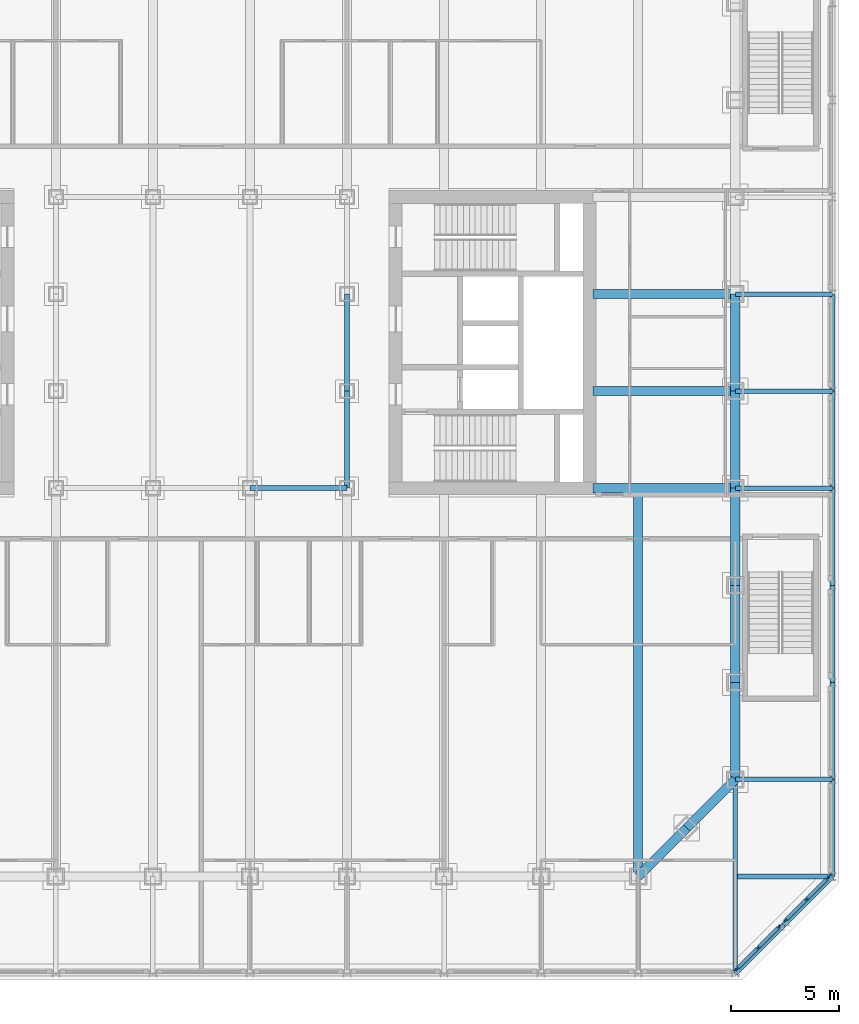
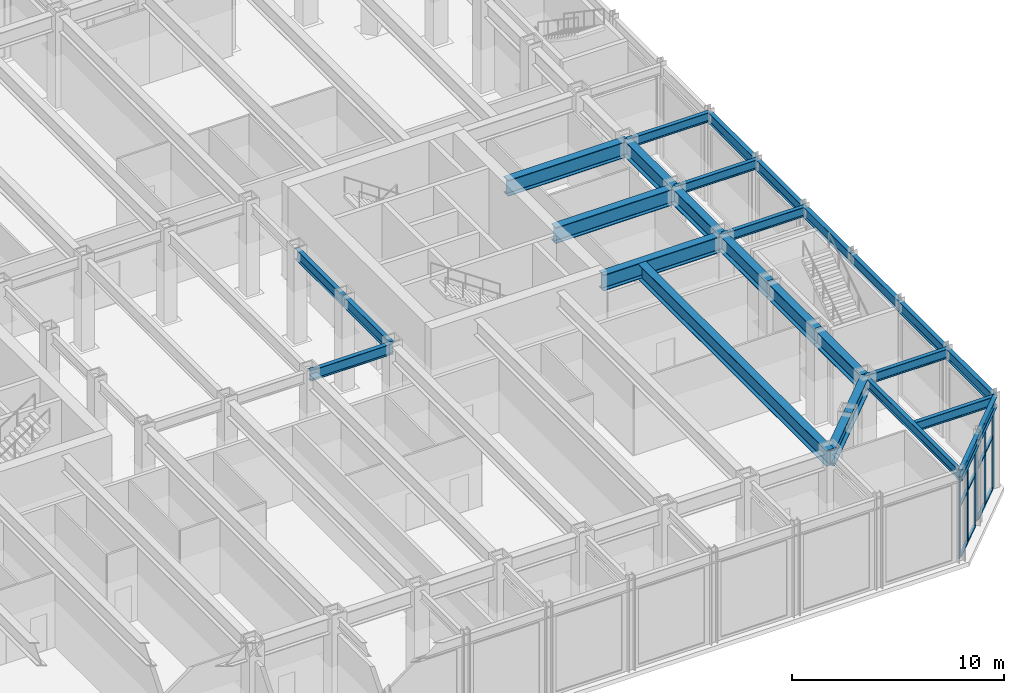
# One storey, part 6 of 19: 28 beams, 18 members, 2 elements without a shape of their own.
"""IFC4 building model written with IfcOpenShell, lengths in metres."""

from ifc_helpers import new_model, si_unit, direction, frame, origin, origin_2d, place, context, subcontext, project, spatial, rectangle, i_section, extrude, material, material_profile, profile_set, type_object, element, aggregate, save


model = new_model("IFC4")

# Units and contexts
model_context = context("Model", 3, precision=1e-05, world=origin(), true_north=direction((0.0, 1.0)))
body_context = subcontext(model_context, "Body", "Model", "MODEL_VIEW")
ifc_project = project(units=[si_unit("LENGTHUNIT", "METRE"), si_unit("AREAUNIT", "SQUARE_METRE"), si_unit("VOLUMEUNIT", "CUBIC_METRE"), si_unit("PLANEANGLEUNIT", "RADIAN"), si_unit("MASSUNIT", "GRAM", prefix="KILO")], contexts=[model_context])

# Site, building, storey
site_placement = place(None, origin())
site = spatial("IfcSite", under=ifc_project, at=site_placement, CompositionType="ELEMENT")
building_placement = place(site_placement, origin())
building = spatial("IfcBuilding", under=site, at=building_placement, Name="Msasa Ring Tower", CompositionType="ELEMENT")
storey_placement = place(building_placement, frame((0.0, 0.0, 16.0)))
storey = spatial("IfcBuildingStorey", under=building, at=storey_placement, Name="L03", CompositionType="ELEMENT", Elevation=16.0)

# Curtain wall, members
ifc_material_1 = material(Name="Aluminium curtain wall with clear glass", Category="aluminium")
curtain_wall_type = type_object("IfcCurtainWallType", Name="CW-K PODIUM CORNER CURTAIN WALL", PredefinedType="NOTDEFINED", material=ifc_material_1)
curtain_wall_1_placement = place(storey_placement, origin())
curtain_wall_1 = element("IfcCurtainWall", 1, at=curtain_wall_1_placement, inside=storey, type_object=curtain_wall_type, Name="Podium corner curtain wall SE L03", PredefinedType="NOTDEFINED")
ifc_material_2 = material(Name="Aluminium mullion", Category="aluminium")
ifc_material_profile_1 = material_profile(ifc_material_2, rectangle(XDim=0.070068359375, YDim=0.199951171875, at=origin_2d()), Name="AL 70x200")
ifc_profile_set_1 = profile_set([ifc_material_profile_1], Name="Aluminium mullion")
member_type_1 = type_object("IfcMemberType", Name="CW-K MULLION 70x200", PredefinedType="MULLION", material=ifc_profile_set_1)
member_1_placement = place(storey_placement, frame((24.836669921875, -29.02197265625, 0.0), z_axis=(0.0, 0.0, 1.0), x_axis=(-0.707106781187, 0.707106781187, 0.0)))
member_1 = element("IfcMember", 2, at=member_1_placement, type_object=member_type_1, Name="CW-K mullion 1", PredefinedType="MULLION", context=body_context, shape_type="SweptSolid", body=[
    extrude(rectangle(XDim=0.070068359375, YDim=0.199951171875, at=origin_2d()), origin(), (0.0, 0.0, 1.0), 4.6328125),
])
member_2_placement = place(storey_placement, frame((25.80419921875, -28.05419921875, 0.0), z_axis=(0.0, 0.0, 1.0), x_axis=(-0.707106781187, 0.707106781187, 0.0)))
member_2 = element("IfcMember", 3, at=member_2_placement, type_object=member_type_1, Name="CW-K mullion 2", PredefinedType="MULLION", context=body_context, shape_type="SweptSolid", body=[
    extrude(rectangle(XDim=0.070068359375, YDim=0.199951171875, at=origin_2d()), origin(), (0.0, 0.0, 1.0), 4.6328125),
])
member_3_placement = place(storey_placement, frame((26.77197265625, -27.086669921875, 0.0), z_axis=(0.0, 0.0, 1.0), x_axis=(-0.707106781187, 0.707106781187, 0.0)))
member_3 = element("IfcMember", 4, at=member_3_placement, type_object=member_type_1, Name="CW-K mullion 3", PredefinedType="MULLION", context=body_context, shape_type="SweptSolid", body=[
    extrude(rectangle(XDim=0.070068359375, YDim=0.199951171875, at=origin_2d()), origin(), (0.0, 0.0, 1.0), 4.6328125),
])

curtain_wall_2_placement = place(storey_placement, origin())
curtain_wall_2 = element("IfcCurtainWall", 5, at=curtain_wall_2_placement, inside=storey, type_object=curtain_wall_type, Name="Podium corner curtain wall SE L03", PredefinedType="NOTDEFINED")
member_4_placement = place(storey_placement, frame((27.086669921875, -26.77197265625, 0.0), z_axis=(0.0, 0.0, 1.0), x_axis=(-0.707106781187, 0.707106781187, 0.0)))
member_4 = element("IfcMember", 6, at=member_4_placement, type_object=member_type_1, Name="CW-K mullion 1", PredefinedType="MULLION", context=body_context, shape_type="SweptSolid", body=[
    extrude(rectangle(XDim=0.070068359375, YDim=0.199951171875, at=origin_2d()), origin(), (0.0, 0.0, 1.0), 4.6328125),
])
member_5_placement = place(storey_placement, frame((28.05419921875, -25.80419921875, 0.0), z_axis=(0.0, 0.0, 1.0), x_axis=(-0.707106781187, 0.707106781187, 0.0)))
member_5 = element("IfcMember", 7, at=member_5_placement, type_object=member_type_1, Name="CW-K mullion 2", PredefinedType="MULLION", context=body_context, shape_type="SweptSolid", body=[
    extrude(rectangle(XDim=0.070068359375, YDim=0.199951171875, at=origin_2d()), origin(), (0.0, 0.0, 1.0), 4.6328125),
])
member_6_placement = place(storey_placement, frame((29.02197265625, -24.836669921875, 0.0), z_axis=(0.0, 0.0, 1.0), x_axis=(-0.707106781187, 0.707106781187, 0.0)))
member_6 = element("IfcMember", 8, at=member_6_placement, type_object=member_type_1, Name="CW-K mullion 3", PredefinedType="MULLION", context=body_context, shape_type="SweptSolid", body=[
    extrude(rectangle(XDim=0.070068359375, YDim=0.199951171875, at=origin_2d()), origin(), (0.0, 0.0, 1.0), 4.6328125),
])

# Member
ifc_material_3 = material(Name="Aluminium transom", Category="aluminium")
ifc_material_profile_2 = material_profile(ifc_material_3, rectangle(XDim=0.14990234375, YDim=0.070068359375, at=origin_2d()), Name="AL 70x150")
ifc_profile_set_2 = profile_set([ifc_material_profile_2], Name="Aluminium transom")
member_type_2 = type_object("IfcMemberType", Name="CW-K TRANSOM 70x150", PredefinedType="USERDEFINED", material=ifc_profile_set_2)
member_7_placement = place(storey_placement, frame((24.861572265625, -28.9970703125, 0.034912109375), z_axis=(0.707106781187, 0.707106781187, 0.0), x_axis=(-0.707106781187, 0.707106781187, 0.0)))
member_7 = element("IfcMember", 9, at=member_7_placement, type_object=member_type_2, Name="CW-K transom 1.1", ObjectType="TRANSOM", PredefinedType="USERDEFINED", context=body_context, shape_type="SweptSolid", body=[
    extrude(rectangle(XDim=0.14990234375, YDim=0.070068359375, at=origin_2d()), origin(), (0.0, 0.0, 1.0), 1.298095703125),
])

member_8_placement = place(storey_placement, frame((24.861572265625, -28.9970703125, 3.0), z_axis=(0.707106781187, 0.707106781187, 0.0), x_axis=(-0.707106781187, 0.707106781187, 0.0)))
member_8 = element("IfcMember", 10, at=member_8_placement, type_object=member_type_2, Name="CW-K transom 1.2", ObjectType="TRANSOM", PredefinedType="USERDEFINED", context=body_context, shape_type="SweptSolid", body=[
    extrude(rectangle(XDim=0.14990234375, YDim=0.070068359375, at=origin_2d()), origin(), (0.0, 0.0, 1.0), 1.298095703125),
])

member_9_placement = place(storey_placement, frame((24.861572265625, -28.9970703125, 4.597900390625), z_axis=(0.707106781187, 0.707106781187, 0.0), x_axis=(-0.707106781187, 0.707106781187, 0.0)))
member_9 = element("IfcMember", 11, at=member_9_placement, type_object=member_type_2, Name="CW-K transom 1.3", ObjectType="TRANSOM", PredefinedType="USERDEFINED", context=body_context, shape_type="SweptSolid", body=[
    extrude(rectangle(XDim=0.14990234375, YDim=0.070068359375, at=origin_2d()), origin(), (0.0, 0.0, 1.0), 1.298095703125),
])

member_10_placement = place(storey_placement, frame((25.8291015625, -28.029541015625, 0.034912109375), z_axis=(0.707106781187, 0.707106781187, 0.0), x_axis=(-0.707106781187, 0.707106781187, 0.0)))
member_10 = element("IfcMember", 12, at=member_10_placement, type_object=member_type_2, Name="CW-K transom 2.1", ObjectType="TRANSOM", PredefinedType="USERDEFINED", context=body_context, shape_type="SweptSolid", body=[
    extrude(rectangle(XDim=0.14990234375, YDim=0.070068359375, at=origin_2d()), origin(), (0.0, 0.0, 1.0), 1.298095703125),
])

member_11_placement = place(storey_placement, frame((25.8291015625, -28.029541015625, 3.0), z_axis=(0.707106781187, 0.707106781187, 0.0), x_axis=(-0.707106781187, 0.707106781187, 0.0)))
member_11 = element("IfcMember", 13, at=member_11_placement, type_object=member_type_2, Name="CW-K transom 2.2", ObjectType="TRANSOM", PredefinedType="USERDEFINED", context=body_context, shape_type="SweptSolid", body=[
    extrude(rectangle(XDim=0.14990234375, YDim=0.070068359375, at=origin_2d()), origin(), (0.0, 0.0, 1.0), 1.298095703125),
])

member_12_placement = place(storey_placement, frame((25.8291015625, -28.029541015625, 4.597900390625), z_axis=(0.707106781187, 0.707106781187, 0.0), x_axis=(-0.707106781187, 0.707106781187, 0.0)))
member_12 = element("IfcMember", 14, at=member_12_placement, type_object=member_type_2, Name="CW-K transom 2.3", ObjectType="TRANSOM", PredefinedType="USERDEFINED", context=body_context, shape_type="SweptSolid", body=[
    extrude(rectangle(XDim=0.14990234375, YDim=0.070068359375, at=origin_2d()), origin(), (0.0, 0.0, 1.0), 1.298095703125),
])

aggregate(curtain_wall_1, [member_1, member_2, member_3, member_7, member_8, member_9, member_10, member_11, member_12])

member_13_placement = place(storey_placement, frame((27.111572265625, -26.7470703125, 0.034912109375), z_axis=(0.707106781187, 0.707106781187, 0.0), x_axis=(-0.707106781187, 0.707106781187, 0.0)))
member_13 = element("IfcMember", 15, at=member_13_placement, type_object=member_type_2, Name="CW-K transom 1.1", ObjectType="TRANSOM", PredefinedType="USERDEFINED", context=body_context, shape_type="SweptSolid", body=[
    extrude(rectangle(XDim=0.14990234375, YDim=0.070068359375, at=origin_2d()), origin(), (0.0, 0.0, 1.0), 1.298095703125),
])

member_14_placement = place(storey_placement, frame((27.111572265625, -26.7470703125, 3.0), z_axis=(0.707106781187, 0.707106781187, 0.0), x_axis=(-0.707106781187, 0.707106781187, 0.0)))
member_14 = element("IfcMember", 16, at=member_14_placement, type_object=member_type_2, Name="CW-K transom 1.2", ObjectType="TRANSOM", PredefinedType="USERDEFINED", context=body_context, shape_type="SweptSolid", body=[
    extrude(rectangle(XDim=0.14990234375, YDim=0.070068359375, at=origin_2d()), origin(), (0.0, 0.0, 1.0), 1.298095703125),
])

member_15_placement = place(storey_placement, frame((27.111572265625, -26.7470703125, 4.597900390625), z_axis=(0.707106781187, 0.707106781187, 0.0), x_axis=(-0.707106781187, 0.707106781187, 0.0)))
member_15 = element("IfcMember", 17, at=member_15_placement, type_object=member_type_2, Name="CW-K transom 1.3", ObjectType="TRANSOM", PredefinedType="USERDEFINED", context=body_context, shape_type="SweptSolid", body=[
    extrude(rectangle(XDim=0.14990234375, YDim=0.070068359375, at=origin_2d()), origin(), (0.0, 0.0, 1.0), 1.298095703125),
])

member_16_placement = place(storey_placement, frame((28.0791015625, -25.779541015625, 0.034912109375), z_axis=(0.707106781187, 0.707106781187, 0.0), x_axis=(-0.707106781187, 0.707106781187, 0.0)))
member_16 = element("IfcMember", 18, at=member_16_placement, type_object=member_type_2, Name="CW-K transom 2.1", ObjectType="TRANSOM", PredefinedType="USERDEFINED", context=body_context, shape_type="SweptSolid", body=[
    extrude(rectangle(XDim=0.14990234375, YDim=0.070068359375, at=origin_2d()), origin(), (0.0, 0.0, 1.0), 1.298095703125),
])

member_17_placement = place(storey_placement, frame((28.0791015625, -25.779541015625, 3.0), z_axis=(0.707106781187, 0.707106781187, 0.0), x_axis=(-0.707106781187, 0.707106781187, 0.0)))
member_17 = element("IfcMember", 19, at=member_17_placement, type_object=member_type_2, Name="CW-K transom 2.2", ObjectType="TRANSOM", PredefinedType="USERDEFINED", context=body_context, shape_type="SweptSolid", body=[
    extrude(rectangle(XDim=0.14990234375, YDim=0.070068359375, at=origin_2d()), origin(), (0.0, 0.0, 1.0), 1.298095703125),
])

member_18_placement = place(storey_placement, frame((28.0791015625, -25.779541015625, 4.597900390625), z_axis=(0.707106781187, 0.707106781187, 0.0), x_axis=(-0.707106781187, 0.707106781187, 0.0)))
member_18 = element("IfcMember", 20, at=member_18_placement, type_object=member_type_2, Name="CW-K transom 2.3", ObjectType="TRANSOM", PredefinedType="USERDEFINED", context=body_context, shape_type="SweptSolid", body=[
    extrude(rectangle(XDim=0.14990234375, YDim=0.070068359375, at=origin_2d()), origin(), (0.0, 0.0, 1.0), 1.298095703125),
])

aggregate(curtain_wall_2, [member_4, member_5, member_6, member_13, member_14, member_15, member_16, member_17, member_18])

# Beams
ifc_material_4 = material(Name="Steel S355", Category="steel")
ifc_material_profile_3 = material_profile(ifc_material_4, i_section(OverallWidth=0.41845703125, OverallDepth=0.911865234375, WebThickness=0.019287109375, FlangeThickness=0.031982421875, FilletRadius=0.024169921875, at=origin_2d()), Name="UB 914x419x343")
ifc_profile_set_3 = profile_set([ifc_material_profile_3], Name="Steel S355")
beam_type_1 = type_object("IfcBeamType", Name="FB1 UB 914x419x343", PredefinedType="BEAM", material=ifc_profile_set_3)
beam_1_placement = place(storey_placement, frame((20.25, -24.75, 4.794189453125), z_axis=(0.0, 1.0, 0.0), x_axis=(-1.0, 0.0, 0.0)))
element("IfcBeam", 21, at=beam_1_placement, inside=storey, type_object=beam_type_1, Name="Floor beam S+20.25 under L04", PredefinedType="BEAM", context=body_context, shape_type="SweptSolid", body=[
    extrude(i_section(OverallWidth=0.41845703125, OverallDepth=0.911865234375, WebThickness=0.019287109375, FlangeThickness=0.031982421875, FilletRadius=0.024169921875, at=origin_2d()), origin(), (0.0, 0.0, 1.0), 17.789794921875),
])
ifc_material_5 = material(Name="Steel S355", Category="steel")
ifc_material_profile_4 = material_profile(ifc_material_5, i_section(OverallWidth=0.42041015625, OverallDepth=0.9208984375, WebThickness=0.021484375, FlangeThickness=0.03662109375, FilletRadius=0.024169921875, at=origin_2d()), Name="UB 914x419x388")
ifc_profile_set_4 = profile_set([ifc_material_profile_4], Name="Steel S355")
beam_type_2 = type_object("IfcBeamType", Name="FB2 UB 914x419x388", PredefinedType="BEAM", material=ifc_profile_set_4)
for number, where, z_axis, x_axis, name in (
    (22, (24.75, -2.25, 4.78955078125), (-1.0, 0.0, 0.0), (0.0, -1.0, 0.0), "Floor beam E -2.25 under L04"),
    (23, (24.75, 2.25, 4.78955078125), (-1.0, 0.0, 0.0), (0.0, -1.0, 0.0), "Floor beam E +2.25 under L04"),
):
    element("IfcBeam", number, at=place(storey_placement, frame(where, z_axis=z_axis, x_axis=x_axis)), inside=storey, type_object=beam_type_2, Name=name, PredefinedType="BEAM", context=body_context, shape_type="SweptSolid", body=[
        extrude(i_section(OverallWidth=0.42041015625, OverallDepth=0.9208984375, WebThickness=0.021484375, FlangeThickness=0.03662109375, FilletRadius=0.024169921875, at=origin_2d()), origin(), (0.0, 0.0, 1.0), 6.60009765625),
    ])
ifc_material_6 = material(Name="Steel S355", Category="steel")
ifc_material_profile_5 = material_profile(ifc_material_6, i_section(OverallWidth=0.42041015625, OverallDepth=0.9208984375, WebThickness=0.021484375, FlangeThickness=0.03662109375, FilletRadius=0.024169921875, at=origin_2d()), Name="UB 914x419x388")
ifc_profile_set_5 = profile_set([ifc_material_profile_5], Name="Steel S355")
beam_type_3 = type_object("IfcBeamType", Name="GB1 UB 914x419x388", PredefinedType="BEAM", material=ifc_profile_set_5)
beam_2_placement = place(storey_placement, frame((18.14990234375, -6.75, 4.78955078125), z_axis=(1.0, 0.0, 0.0), x_axis=(0.0, 1.0, 0.0)))
element("IfcBeam", 24, at=beam_2_placement, inside=storey, type_object=beam_type_3, Name="Girder E -6.75 under L04", PredefinedType="BEAM", context=body_context, shape_type="SweptSolid", body=[
    extrude(i_section(OverallWidth=0.42041015625, OverallDepth=0.9208984375, WebThickness=0.021484375, FlangeThickness=0.03662109375, FilletRadius=0.024169921875, at=origin_2d()), origin(), (0.0, 0.0, 1.0), 6.60009765625),
])
ifc_material_7 = material(Name="Steel S355", Category="steel")
ifc_material_profile_6 = material_profile(ifc_material_7, i_section(OverallWidth=0.2119140625, OverallDepth=0.54443359375, WebThickness=0.0126953125, FlangeThickness=0.021240234375, FilletRadius=0.0126953125, at=origin_2d()), Name="UB 533x210x122")
ifc_profile_set_6 = profile_set([ifc_material_profile_6], Name="Steel S355")
beam_type_4 = type_object("IfcBeamType", Name="PB1 UB 533x210x122", PredefinedType="BEAM", material=ifc_profile_set_6)
beam_3_placement = place(storey_placement, frame((29.25, -24.75, 4.977783203125), z_axis=(-1.0, 0.0, 0.0), x_axis=(0.0, -1.0, 0.0)))
element("IfcBeam", 25, at=beam_3_placement, inside=storey, type_object=beam_type_4, Name="Podium beam E-24.75 under L04", PredefinedType="BEAM", context=body_context, shape_type="SweptSolid", body=[
    extrude(i_section(OverallWidth=0.2119140625, OverallDepth=0.54443359375, WebThickness=0.0126953125, FlangeThickness=0.021240234375, FilletRadius=0.0126953125, at=origin_2d()), origin(), (0.0, 0.0, 1.0), 4.39404296875),
])
for number, where, z_axis, x_axis, name in (
    (26, (29.25, -20.25, 4.977783203125), (-1.0, 0.0, 0.0), (0.0, -1.0, 0.0), "Podium beam E-20.25 under L04"),
    (27, (29.25, -6.75, 4.977783203125), (-1.0, 0.0, 0.0), (0.0, -1.0, 0.0), "Podium beam E-6.75 under L04"),
    (28, (29.25, -2.25, 4.977783203125), (-1.0, 0.0, 0.0), (0.0, -1.0, 0.0), "Podium beam E-2.25 under L04"),
    (29, (29.25, 2.25, 4.977783203125), (-1.0, 0.0, 0.0), (0.0, -1.0, 0.0), "Podium beam E+2.25 under L04"),
):
    element("IfcBeam", number, at=place(storey_placement, frame(where, z_axis=z_axis, x_axis=x_axis)), inside=storey, type_object=beam_type_4, Name=name, PredefinedType="BEAM", context=body_context, shape_type="SweptSolid", body=[
        extrude(i_section(OverallWidth=0.2119140625, OverallDepth=0.54443359375, WebThickness=0.0126953125, FlangeThickness=0.021240234375, FilletRadius=0.0126953125, at=origin_2d()), origin(), (0.0, 0.0, 1.0), 4.5),
    ])
beam_4_placement = place(storey_placement, frame((24.75, -29.25, 4.977783203125), z_axis=(0.0, 1.0, 0.0), x_axis=(-1.0, 0.0, 0.0)))
element("IfcBeam", 30, at=beam_4_placement, inside=storey, type_object=beam_type_4, Name="Podium beam S+24.75 under L04", PredefinedType="BEAM", context=body_context, shape_type="SweptSolid", body=[
    extrude(i_section(OverallWidth=0.2119140625, OverallDepth=0.54443359375, WebThickness=0.0126953125, FlangeThickness=0.021240234375, FilletRadius=0.0126953125, at=origin_2d()), origin(), (0.0, 0.0, 1.0), 9.0),
])
ifc_material_8 = material(Name="Steel S355", Category="steel")
ifc_material_profile_7 = material_profile(ifc_material_8, i_section(OverallWidth=0.230224609375, OverallDepth=0.6171875, WebThickness=0.01318359375, FlangeThickness=0.022216796875, FilletRadius=0.0126953125, at=origin_2d()), Name="UB 610x229x140")
ifc_profile_set_7 = profile_set([ifc_material_profile_7], Name="Steel S355")
beam_type_5 = type_object("IfcBeamType", Name="RB1 UB 610x229x140", PredefinedType="BEAM", material=ifc_profile_set_7)
for number, where, z_axis, x_axis, name in (
    (31, (2.25, -6.75, 4.94140625), (1.0, 0.0, 0.0), (0.0, 1.0, 0.0), "Inner ring beam IR+2.25-6.75 under L04"),
    (32, (6.75, -6.75, 4.94140625), (0.0, 1.0, 0.0), (-1.0, 0.0, 0.0), "Inner ring beam IR+6.75-6.75 under L04"),
    (33, (6.75, -2.25, 4.94140625), (0.0, 1.0, 0.0), (-1.0, 0.0, 0.0), "Inner ring beam IR+6.75-2.25 under L04"),
):
    element("IfcBeam", number, at=place(storey_placement, frame(where, z_axis=z_axis, x_axis=x_axis)), inside=storey, type_object=beam_type_5, Name=name, PredefinedType="BEAM", context=body_context, shape_type="SweptSolid", body=[
        extrude(i_section(OverallWidth=0.230224609375, OverallDepth=0.6171875, WebThickness=0.01318359375, FlangeThickness=0.022216796875, FilletRadius=0.0126953125, at=origin_2d()), origin(), (0.0, 0.0, 1.0), 4.5),
    ])
ifc_material_9 = material(Name="Steel S355", Category="steel")
ifc_material_profile_8 = material_profile(ifc_material_9, i_section(OverallWidth=0.42041015625, OverallDepth=0.9208984375, WebThickness=0.021484375, FlangeThickness=0.03662109375, FilletRadius=0.024169921875, at=origin_2d()), Name="UB 914x419x388")
ifc_profile_set_8 = profile_set([ifc_material_profile_8], Name="Steel S355")
beam_type_6 = type_object("IfcBeamType", Name="SB1 UB 914x419x388", PredefinedType="SPANDREL", material=ifc_profile_set_8)
for number, where, z_axis, x_axis, name in (
    (34, (20.25, -24.75, 4.78955078125), (0.707106781187, 0.707106781187, 0.0), (-0.707106781187, 0.707106781187, 0.0), "Spandrel S+20.25 to SE under L04"),
    (35, (22.5, -22.5, 4.78955078125), (0.707106781187, 0.707106781187, 0.0), (-0.707106781187, 0.707106781187, 0.0), "Spandrel SE to E-20.25 under L04"),
):
    element("IfcBeam", number, at=place(storey_placement, frame(where, z_axis=z_axis, x_axis=x_axis)), inside=storey, type_object=beam_type_6, Name=name, PredefinedType="SPANDREL", context=body_context, shape_type="SweptSolid", body=[
        extrude(i_section(OverallWidth=0.42041015625, OverallDepth=0.9208984375, WebThickness=0.021484375, FlangeThickness=0.03662109375, FilletRadius=0.024169921875, at=origin_2d()), origin(), (0.0, 0.0, 1.0), 3.181884765625),
    ])
for number, where, z_axis, x_axis, name in (
    (36, (24.75, -20.25, 4.78955078125), (0.0, 1.0, 0.0), (-1.0, 0.0, 0.0), "Spandrel E-20.25 to E-15.75 under L04"),
    (37, (24.75, -15.75, 4.78955078125), (0.0, 1.0, 0.0), (-1.0, 0.0, 0.0), "Spandrel E-15.75 to E-11.25 under L04"),
    (38, (24.75, -11.25, 4.78955078125), (0.0, 1.0, 0.0), (-1.0, 0.0, 0.0), "Spandrel E-11.25 to E-6.75 under L04"),
    (39, (24.75, -6.75, 4.78955078125), (0.0, 1.0, 0.0), (-1.0, 0.0, 0.0), "Spandrel E-6.75 to E-2.25 under L04"),
    (40, (24.75, -2.25, 4.78955078125), (0.0, 1.0, 0.0), (-1.0, 0.0, 0.0), "Spandrel E-2.25 to E+2.25 under L04"),
):
    element("IfcBeam", number, at=place(storey_placement, frame(where, z_axis=z_axis, x_axis=x_axis)), inside=storey, type_object=beam_type_6, Name=name, PredefinedType="SPANDREL", context=body_context, shape_type="SweptSolid", body=[
        extrude(i_section(OverallWidth=0.42041015625, OverallDepth=0.9208984375, WebThickness=0.021484375, FlangeThickness=0.03662109375, FilletRadius=0.024169921875, at=origin_2d()), origin(), (0.0, 0.0, 1.0), 4.5),
    ])
ifc_material_10 = material(Name="Steel S355", Category="steel")
ifc_material_profile_9 = material_profile(ifc_material_10, i_section(OverallWidth=0.230224609375, OverallDepth=0.6171875, WebThickness=0.01318359375, FlangeThickness=0.022216796875, FilletRadius=0.0126953125, at=origin_2d()), Name="UB 610x229x140")
ifc_profile_set_9 = profile_set([ifc_material_profile_9], Name="Steel S355")
beam_type_7 = type_object("IfcBeamType", Name="SB2 UB 610x229x140", PredefinedType="SPANDREL", material=ifc_profile_set_9)
for number, where, z_axis, x_axis, name in (
    (41, (24.75, -29.25, 4.94140625), (0.707106781187, 0.707106781187, 0.0), (-0.707106781187, 0.707106781187, 0.0), "Podium spandrel S+24.75 under L04"),
    (42, (27.0, -27.0, 4.94140625), (0.707106781187, 0.707106781187, 0.0), (-0.707106781187, 0.707106781187, 0.0), "Podium spandrel SE under L04"),
):
    element("IfcBeam", number, at=place(storey_placement, frame(where, z_axis=z_axis, x_axis=x_axis)), inside=storey, type_object=beam_type_7, Name=name, PredefinedType="SPANDREL", context=body_context, shape_type="SweptSolid", body=[
        extrude(i_section(OverallWidth=0.230224609375, OverallDepth=0.6171875, WebThickness=0.01318359375, FlangeThickness=0.022216796875, FilletRadius=0.0126953125, at=origin_2d()), origin(), (0.0, 0.0, 1.0), 3.181884765625),
    ])
for number, where, z_axis, x_axis, name in (
    (43, (29.25, -24.75, 4.94140625), (0.0, 1.0, 0.0), (-1.0, 0.0, 0.0), "Podium spandrel E-24.75 under L04"),
    (44, (29.25, -20.25, 4.94140625), (0.0, 1.0, 0.0), (-1.0, 0.0, 0.0), "Podium spandrel E-20.25 under L04"),
    (45, (29.25, -15.75, 4.94140625), (0.0, 1.0, 0.0), (-1.0, 0.0, 0.0), "Podium spandrel E-15.75 under L04"),
    (46, (29.25, -11.25, 4.94140625), (0.0, 1.0, 0.0), (-1.0, 0.0, 0.0), "Podium spandrel E-11.25 under L04"),
    (47, (29.25, -6.75, 4.94140625), (0.0, 1.0, 0.0), (-1.0, 0.0, 0.0), "Podium spandrel E-6.75 under L04"),
    (48, (29.25, -2.25, 4.94140625), (0.0, 1.0, 0.0), (-1.0, 0.0, 0.0), "Podium spandrel E-2.25 under L04"),
):
    element("IfcBeam", number, at=place(storey_placement, frame(where, z_axis=z_axis, x_axis=x_axis)), inside=storey, type_object=beam_type_7, Name=name, PredefinedType="SPANDREL", context=body_context, shape_type="SweptSolid", body=[
        extrude(i_section(OverallWidth=0.230224609375, OverallDepth=0.6171875, WebThickness=0.01318359375, FlangeThickness=0.022216796875, FilletRadius=0.0126953125, at=origin_2d()), origin(), (0.0, 0.0, 1.0), 4.5),
    ])

save(model, "model.ifc")
